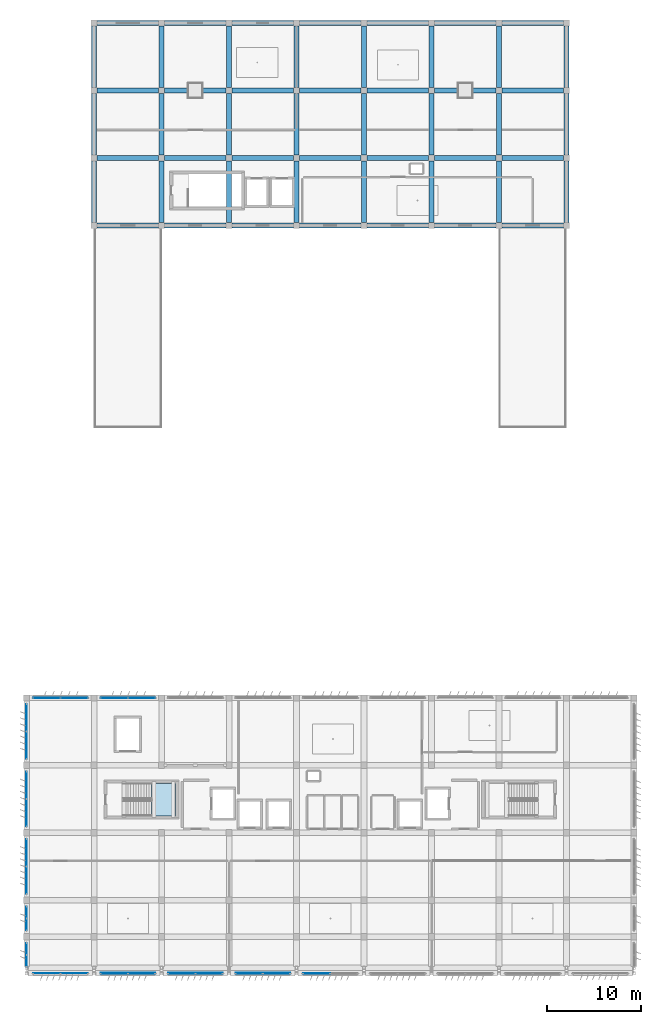
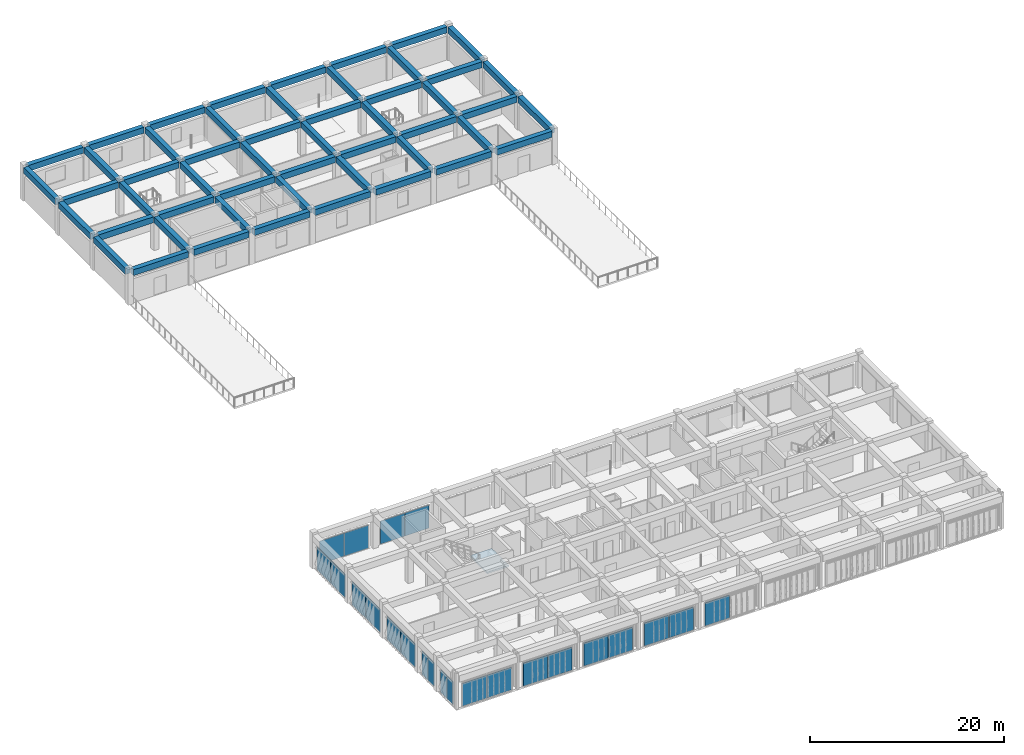
# One storey, part 32 of 56: 52 beams, 23 plates, 1 slab, 13 elements without a shape of their own.
"""IFC4 building model written with IfcOpenShell, lengths in metres."""

from ifc_helpers import new_model, si_unit, direction, frame, origin, origin_2d, place, context, subcontext, project, spatial, polyline, rectangle, outline, extrude, material, layer, layer_set, material_profile, profile_set, type_object, element, aggregate, save


model = new_model("IFC4")

# Units and contexts
model_context = context("Model", 3, precision=1e-05, world=origin(), true_north=direction((0.0, 1.0)))
body_context = subcontext(model_context, "Body", "Model", "MODEL_VIEW")
ifc_project = project(units=[si_unit("LENGTHUNIT", "METRE"), si_unit("AREAUNIT", "SQUARE_METRE"), si_unit("VOLUMEUNIT", "CUBIC_METRE"), si_unit("PLANEANGLEUNIT", "RADIAN"), si_unit("MASSUNIT", "GRAM", prefix="KILO")], contexts=[model_context])

# Site, building, storey
site_placement = place(None, origin())
site = spatial("IfcSite", under=ifc_project, at=site_placement, CompositionType="ELEMENT")
building_placement = place(site_placement, origin())
building = spatial("IfcBuilding", under=site, at=building_placement, Name="Kazehaya Institute of Natural Sciences", CompositionType="ELEMENT")
storey_placement = place(building_placement, frame((0.0, 0.0, 28.800048828125)))
storey = spatial("IfcBuildingStorey", under=building, at=storey_placement, Name="L06", CompositionType="ELEMENT", Elevation=28.800048828125)

# Beams
ifc_material_1 = material(Name="Concrete Fc36", Category="concrete")
ifc_material_profile = material_profile(ifc_material_1, rectangle(XDim=0.550048828125, YDim=0.75, at=origin_2d()), Name="RC-550x750")
ifc_profile_set = profile_set([ifc_material_profile], Name="Concrete Fc36")
beam_type = type_object("IfcBeamType", Name="BM-G-550x750", PredefinedType="BEAM", material=ifc_profile_set)
for number, where, z_axis, x_axis, name in (
    (1, (62.125, 86.0, 3.85498046875), (1.0, 0.0, 0.0), (0.0, 1.0, 0.0), "L06 primary X girder BMX-L06-618-860"),
    (2, (69.324951171875, 86.0, 3.85498046875), (1.0, 0.0, 0.0), (0.0, 1.0, 0.0), "L06 primary X girder BMX-L06-690-860"),
    (3, (76.52490234375, 86.0, 3.85498046875), (1.0, 0.0, 0.0), (0.0, 1.0, 0.0), "L06 primary X girder BMX-L06-762-860"),
):
    element("IfcBeam", number, at=place(storey_placement, frame(where, z_axis=z_axis, x_axis=x_axis)), inside=storey, type_object=beam_type, Name=name, PredefinedType="BEAM", context=body_context, shape_type="SweptSolid", body=[
        extrude(rectangle(XDim=0.550048828125, YDim=0.75, at=origin_2d()), origin(), (0.0, 0.0, 1.0), 6.550048828125),
    ])
beam_1_placement = place(storey_placement, frame((83.72509765625, 86.0, 3.85498046875), z_axis=(1.0, 0.0, 0.0), x_axis=(0.0, 1.0, 0.0)))
element("IfcBeam", 4, at=beam_1_placement, inside=storey, type_object=beam_type, Name="L06 primary X girder BMX-L06-834-860", PredefinedType="BEAM", context=body_context, shape_type="SweptSolid", body=[
    extrude(rectangle(XDim=0.550048828125, YDim=0.75, at=origin_2d()), origin(), (0.0, 0.0, 1.0), 6.5498046875),
])
for number, where, z_axis, x_axis, name in (
    (5, (90.925048828125, 86.0, 3.85498046875), (1.0, 0.0, 0.0), (0.0, 1.0, 0.0), "L06 primary X girder BMX-L06-906-860"),
    (6, (98.125, 86.0, 3.85498046875), (1.0, 0.0, 0.0), (0.0, 1.0, 0.0), "L06 primary X girder BMX-L06-978-860"),
    (7, (105.324951171875, 86.0, 3.85498046875), (1.0, 0.0, 0.0), (0.0, 1.0, 0.0), "L06 primary X girder BMX-L06-1050-860"),
    (8, (62.125, 93.199951171875, 3.85498046875), (1.0, 0.0, 0.0), (0.0, 1.0, 0.0), "L06 primary X girder BMX-L06-618-932"),
    (9, (69.324951171875, 93.199951171875, 3.85498046875), (1.0, 0.0, 0.0), (0.0, 1.0, 0.0), "L06 primary X girder BMX-L06-690-932"),
    (10, (76.52490234375, 93.199951171875, 3.85498046875), (1.0, 0.0, 0.0), (0.0, 1.0, 0.0), "L06 primary X girder BMX-L06-762-932"),
):
    element("IfcBeam", number, at=place(storey_placement, frame(where, z_axis=z_axis, x_axis=x_axis)), inside=storey, type_object=beam_type, Name=name, PredefinedType="BEAM", context=body_context, shape_type="SweptSolid", body=[
        extrude(rectangle(XDim=0.550048828125, YDim=0.75, at=origin_2d()), origin(), (0.0, 0.0, 1.0), 6.550048828125),
    ])
beam_2_placement = place(storey_placement, frame((83.72509765625, 93.199951171875, 3.85498046875), z_axis=(1.0, 0.0, 0.0), x_axis=(0.0, 1.0, 0.0)))
element("IfcBeam", 11, at=beam_2_placement, inside=storey, type_object=beam_type, Name="L06 primary X girder BMX-L06-834-932", PredefinedType="BEAM", context=body_context, shape_type="SweptSolid", body=[
    extrude(rectangle(XDim=0.550048828125, YDim=0.75, at=origin_2d()), origin(), (0.0, 0.0, 1.0), 6.5498046875),
])
for number, where, z_axis, x_axis, name in (
    (12, (90.925048828125, 93.199951171875, 3.85498046875), (1.0, 0.0, 0.0), (0.0, 1.0, 0.0), "L06 primary X girder BMX-L06-906-932"),
    (13, (98.125, 93.199951171875, 3.85498046875), (1.0, 0.0, 0.0), (0.0, 1.0, 0.0), "L06 primary X girder BMX-L06-978-932"),
    (14, (105.324951171875, 93.199951171875, 3.85498046875), (1.0, 0.0, 0.0), (0.0, 1.0, 0.0), "L06 primary X girder BMX-L06-1050-932"),
    (15, (62.125, 100.39990234375, 3.85498046875), (1.0, 0.0, 0.0), (0.0, 1.0, 0.0), "L06 primary X girder BMX-L06-618-1004"),
    (16, (69.324951171875, 100.39990234375, 3.85498046875), (1.0, 0.0, 0.0), (0.0, 1.0, 0.0), "L06 primary X girder BMX-L06-690-1004"),
    (17, (76.52490234375, 100.39990234375, 3.85498046875), (1.0, 0.0, 0.0), (0.0, 1.0, 0.0), "L06 primary X girder BMX-L06-762-1004"),
):
    element("IfcBeam", number, at=place(storey_placement, frame(where, z_axis=z_axis, x_axis=x_axis)), inside=storey, type_object=beam_type, Name=name, PredefinedType="BEAM", context=body_context, shape_type="SweptSolid", body=[
        extrude(rectangle(XDim=0.550048828125, YDim=0.75, at=origin_2d()), origin(), (0.0, 0.0, 1.0), 6.550048828125),
    ])
beam_3_placement = place(storey_placement, frame((83.72509765625, 100.39990234375, 3.85498046875), z_axis=(1.0, 0.0, 0.0), x_axis=(0.0, 1.0, 0.0)))
element("IfcBeam", 18, at=beam_3_placement, inside=storey, type_object=beam_type, Name="L06 primary X girder BMX-L06-834-1004", PredefinedType="BEAM", context=body_context, shape_type="SweptSolid", body=[
    extrude(rectangle(XDim=0.550048828125, YDim=0.75, at=origin_2d()), origin(), (0.0, 0.0, 1.0), 6.5498046875),
])
for number, where, z_axis, x_axis, name in (
    (19, (90.925048828125, 100.39990234375, 3.85498046875), (1.0, 0.0, 0.0), (0.0, 1.0, 0.0), "L06 primary X girder BMX-L06-906-1004"),
    (20, (98.125, 100.39990234375, 3.85498046875), (1.0, 0.0, 0.0), (0.0, 1.0, 0.0), "L06 primary X girder BMX-L06-978-1004"),
    (21, (105.324951171875, 100.39990234375, 3.85498046875), (1.0, 0.0, 0.0), (0.0, 1.0, 0.0), "L06 primary X girder BMX-L06-1050-1004"),
    (22, (62.125, 107.60009765625, 3.85498046875), (1.0, 0.0, 0.0), (0.0, 1.0, 0.0), "L06 primary X girder BMX-L06-618-1076"),
    (23, (69.324951171875, 107.60009765625, 3.85498046875), (1.0, 0.0, 0.0), (0.0, 1.0, 0.0), "L06 primary X girder BMX-L06-690-1076"),
    (24, (76.52490234375, 107.60009765625, 3.85498046875), (1.0, 0.0, 0.0), (0.0, 1.0, 0.0), "L06 primary X girder BMX-L06-762-1076"),
):
    element("IfcBeam", number, at=place(storey_placement, frame(where, z_axis=z_axis, x_axis=x_axis)), inside=storey, type_object=beam_type, Name=name, PredefinedType="BEAM", context=body_context, shape_type="SweptSolid", body=[
        extrude(rectangle(XDim=0.550048828125, YDim=0.75, at=origin_2d()), origin(), (0.0, 0.0, 1.0), 6.550048828125),
    ])
beam_4_placement = place(storey_placement, frame((83.72509765625, 107.60009765625, 3.85498046875), z_axis=(1.0, 0.0, 0.0), x_axis=(0.0, 1.0, 0.0)))
element("IfcBeam", 25, at=beam_4_placement, inside=storey, type_object=beam_type, Name="L06 primary X girder BMX-L06-834-1076", PredefinedType="BEAM", context=body_context, shape_type="SweptSolid", body=[
    extrude(rectangle(XDim=0.550048828125, YDim=0.75, at=origin_2d()), origin(), (0.0, 0.0, 1.0), 6.5498046875),
])
for number, where, z_axis, x_axis, name in (
    (26, (90.925048828125, 107.60009765625, 3.85498046875), (1.0, 0.0, 0.0), (0.0, 1.0, 0.0), "L06 primary X girder BMX-L06-906-1076"),
    (27, (98.125, 107.60009765625, 3.85498046875), (1.0, 0.0, 0.0), (0.0, 1.0, 0.0), "L06 primary X girder BMX-L06-978-1076"),
    (28, (105.324951171875, 107.60009765625, 3.85498046875), (1.0, 0.0, 0.0), (0.0, 1.0, 0.0), "L06 primary X girder BMX-L06-1050-1076"),
    (29, (61.800048828125, 86.324951171875, 3.85498046875), (0.0, 1.0, 0.0), (-1.0, 0.0, 0.0), "L06 primary Y girder BMY-L06-618-860"),
    (30, (61.800048828125, 93.52490234375, 3.85498046875), (0.0, 1.0, 0.0), (-1.0, 0.0, 0.0), "L06 primary Y girder BMY-L06-618-932"),
):
    element("IfcBeam", number, at=place(storey_placement, frame(where, z_axis=z_axis, x_axis=x_axis)), inside=storey, type_object=beam_type, Name=name, PredefinedType="BEAM", context=body_context, shape_type="SweptSolid", body=[
        extrude(rectangle(XDim=0.550048828125, YDim=0.75, at=origin_2d()), origin(), (0.0, 0.0, 1.0), 6.550048828125),
    ])
beam_5_placement = place(storey_placement, frame((61.800048828125, 100.72509765625, 3.85498046875), z_axis=(0.0, 1.0, 0.0), x_axis=(-1.0, 0.0, 0.0)))
element("IfcBeam", 31, at=beam_5_placement, inside=storey, type_object=beam_type, Name="L06 primary Y girder BMY-L06-618-1004", PredefinedType="BEAM", context=body_context, shape_type="SweptSolid", body=[
    extrude(rectangle(XDim=0.550048828125, YDim=0.75, at=origin_2d()), origin(), (0.0, 0.0, 1.0), 6.5498046875),
])
for number, where, z_axis, x_axis, name in (
    (32, (69.0, 86.324951171875, 3.85498046875), (0.0, 1.0, 0.0), (-1.0, 0.0, 0.0), "L06 primary Y girder BMY-L06-690-860"),
    (33, (69.0, 93.52490234375, 3.85498046875), (0.0, 1.0, 0.0), (-1.0, 0.0, 0.0), "L06 primary Y girder BMY-L06-690-932"),
):
    element("IfcBeam", number, at=place(storey_placement, frame(where, z_axis=z_axis, x_axis=x_axis)), inside=storey, type_object=beam_type, Name=name, PredefinedType="BEAM", context=body_context, shape_type="SweptSolid", body=[
        extrude(rectangle(XDim=0.550048828125, YDim=0.75, at=origin_2d()), origin(), (0.0, 0.0, 1.0), 6.550048828125),
    ])
beam_6_placement = place(storey_placement, frame((69.0, 100.72509765625, 3.85498046875), z_axis=(0.0, 1.0, 0.0), x_axis=(-1.0, 0.0, 0.0)))
element("IfcBeam", 34, at=beam_6_placement, inside=storey, type_object=beam_type, Name="L06 primary Y girder BMY-L06-690-1004", PredefinedType="BEAM", context=body_context, shape_type="SweptSolid", body=[
    extrude(rectangle(XDim=0.550048828125, YDim=0.75, at=origin_2d()), origin(), (0.0, 0.0, 1.0), 6.5498046875),
])
for number, where, z_axis, x_axis, name in (
    (35, (76.199951171875, 86.324951171875, 3.85498046875), (0.0, 1.0, 0.0), (-1.0, 0.0, 0.0), "L06 primary Y girder BMY-L06-762-860"),
    (36, (76.199951171875, 93.52490234375, 3.85498046875), (0.0, 1.0, 0.0), (-1.0, 0.0, 0.0), "L06 primary Y girder BMY-L06-762-932"),
):
    element("IfcBeam", number, at=place(storey_placement, frame(where, z_axis=z_axis, x_axis=x_axis)), inside=storey, type_object=beam_type, Name=name, PredefinedType="BEAM", context=body_context, shape_type="SweptSolid", body=[
        extrude(rectangle(XDim=0.550048828125, YDim=0.75, at=origin_2d()), origin(), (0.0, 0.0, 1.0), 6.550048828125),
    ])
beam_7_placement = place(storey_placement, frame((76.199951171875, 100.72509765625, 3.85498046875), z_axis=(0.0, 1.0, 0.0), x_axis=(-1.0, 0.0, 0.0)))
element("IfcBeam", 37, at=beam_7_placement, inside=storey, type_object=beam_type, Name="L06 primary Y girder BMY-L06-762-1004", PredefinedType="BEAM", context=body_context, shape_type="SweptSolid", body=[
    extrude(rectangle(XDim=0.550048828125, YDim=0.75, at=origin_2d()), origin(), (0.0, 0.0, 1.0), 6.5498046875),
])
for number, where, z_axis, x_axis, name in (
    (38, (83.39990234375, 86.324951171875, 3.85498046875), (0.0, 1.0, 0.0), (-1.0, 0.0, 0.0), "L06 primary Y girder BMY-L06-834-860"),
    (39, (83.39990234375, 93.52490234375, 3.85498046875), (0.0, 1.0, 0.0), (-1.0, 0.0, 0.0), "L06 primary Y girder BMY-L06-834-932"),
):
    element("IfcBeam", number, at=place(storey_placement, frame(where, z_axis=z_axis, x_axis=x_axis)), inside=storey, type_object=beam_type, Name=name, PredefinedType="BEAM", context=body_context, shape_type="SweptSolid", body=[
        extrude(rectangle(XDim=0.550048828125, YDim=0.75, at=origin_2d()), origin(), (0.0, 0.0, 1.0), 6.550048828125),
    ])
beam_8_placement = place(storey_placement, frame((83.39990234375, 100.72509765625, 3.85498046875), z_axis=(0.0, 1.0, 0.0), x_axis=(-1.0, 0.0, 0.0)))
element("IfcBeam", 40, at=beam_8_placement, inside=storey, type_object=beam_type, Name="L06 primary Y girder BMY-L06-834-1004", PredefinedType="BEAM", context=body_context, shape_type="SweptSolid", body=[
    extrude(rectangle(XDim=0.550048828125, YDim=0.75, at=origin_2d()), origin(), (0.0, 0.0, 1.0), 6.5498046875),
])
for number, where, z_axis, x_axis, name in (
    (41, (90.60009765625, 86.324951171875, 3.85498046875), (0.0, 1.0, 0.0), (-1.0, 0.0, 0.0), "L06 primary Y girder BMY-L06-906-860"),
    (42, (90.60009765625, 93.52490234375, 3.85498046875), (0.0, 1.0, 0.0), (-1.0, 0.0, 0.0), "L06 primary Y girder BMY-L06-906-932"),
):
    element("IfcBeam", number, at=place(storey_placement, frame(where, z_axis=z_axis, x_axis=x_axis)), inside=storey, type_object=beam_type, Name=name, PredefinedType="BEAM", context=body_context, shape_type="SweptSolid", body=[
        extrude(rectangle(XDim=0.550048828125, YDim=0.75, at=origin_2d()), origin(), (0.0, 0.0, 1.0), 6.550048828125),
    ])
beam_9_placement = place(storey_placement, frame((90.60009765625, 100.72509765625, 3.85498046875), z_axis=(0.0, 1.0, 0.0), x_axis=(-1.0, 0.0, 0.0)))
element("IfcBeam", 43, at=beam_9_placement, inside=storey, type_object=beam_type, Name="L06 primary Y girder BMY-L06-906-1004", PredefinedType="BEAM", context=body_context, shape_type="SweptSolid", body=[
    extrude(rectangle(XDim=0.550048828125, YDim=0.75, at=origin_2d()), origin(), (0.0, 0.0, 1.0), 6.5498046875),
])
for number, where, z_axis, x_axis, name in (
    (44, (97.800048828125, 86.324951171875, 3.85498046875), (0.0, 1.0, 0.0), (-1.0, 0.0, 0.0), "L06 primary Y girder BMY-L06-978-860"),
    (45, (97.800048828125, 93.52490234375, 3.85498046875), (0.0, 1.0, 0.0), (-1.0, 0.0, 0.0), "L06 primary Y girder BMY-L06-978-932"),
):
    element("IfcBeam", number, at=place(storey_placement, frame(where, z_axis=z_axis, x_axis=x_axis)), inside=storey, type_object=beam_type, Name=name, PredefinedType="BEAM", context=body_context, shape_type="SweptSolid", body=[
        extrude(rectangle(XDim=0.550048828125, YDim=0.75, at=origin_2d()), origin(), (0.0, 0.0, 1.0), 6.550048828125),
    ])
beam_10_placement = place(storey_placement, frame((97.800048828125, 100.72509765625, 3.85498046875), z_axis=(0.0, 1.0, 0.0), x_axis=(-1.0, 0.0, 0.0)))
element("IfcBeam", 46, at=beam_10_placement, inside=storey, type_object=beam_type, Name="L06 primary Y girder BMY-L06-978-1004", PredefinedType="BEAM", context=body_context, shape_type="SweptSolid", body=[
    extrude(rectangle(XDim=0.550048828125, YDim=0.75, at=origin_2d()), origin(), (0.0, 0.0, 1.0), 6.5498046875),
])
for number, where, z_axis, x_axis, name in (
    (47, (105.0, 86.324951171875, 3.85498046875), (0.0, 1.0, 0.0), (-1.0, 0.0, 0.0), "L06 primary Y girder BMY-L06-1050-860"),
    (48, (105.0, 93.52490234375, 3.85498046875), (0.0, 1.0, 0.0), (-1.0, 0.0, 0.0), "L06 primary Y girder BMY-L06-1050-932"),
):
    element("IfcBeam", number, at=place(storey_placement, frame(where, z_axis=z_axis, x_axis=x_axis)), inside=storey, type_object=beam_type, Name=name, PredefinedType="BEAM", context=body_context, shape_type="SweptSolid", body=[
        extrude(rectangle(XDim=0.550048828125, YDim=0.75, at=origin_2d()), origin(), (0.0, 0.0, 1.0), 6.550048828125),
    ])
beam_11_placement = place(storey_placement, frame((105.0, 100.72509765625, 3.85498046875), z_axis=(0.0, 1.0, 0.0), x_axis=(-1.0, 0.0, 0.0)))
element("IfcBeam", 49, at=beam_11_placement, inside=storey, type_object=beam_type, Name="L06 primary Y girder BMY-L06-1050-1004", PredefinedType="BEAM", context=body_context, shape_type="SweptSolid", body=[
    extrude(rectangle(XDim=0.550048828125, YDim=0.75, at=origin_2d()), origin(), (0.0, 0.0, 1.0), 6.5498046875),
])
for number, where, z_axis, x_axis, name in (
    (50, (112.199951171875, 86.324951171875, 3.85498046875), (0.0, 1.0, 0.0), (-1.0, 0.0, 0.0), "L06 primary Y girder BMY-L06-1122-860"),
    (51, (112.199951171875, 93.52490234375, 3.85498046875), (0.0, 1.0, 0.0), (-1.0, 0.0, 0.0), "L06 primary Y girder BMY-L06-1122-932"),
):
    element("IfcBeam", number, at=place(storey_placement, frame(where, z_axis=z_axis, x_axis=x_axis)), inside=storey, type_object=beam_type, Name=name, PredefinedType="BEAM", context=body_context, shape_type="SweptSolid", body=[
        extrude(rectangle(XDim=0.550048828125, YDim=0.75, at=origin_2d()), origin(), (0.0, 0.0, 1.0), 6.550048828125),
    ])
beam_12_placement = place(storey_placement, frame((112.199951171875, 100.72509765625, 3.85498046875), z_axis=(0.0, 1.0, 0.0), x_axis=(-1.0, 0.0, 0.0)))
element("IfcBeam", 52, at=beam_12_placement, inside=storey, type_object=beam_type, Name="L06 primary Y girder BMY-L06-1122-1004", PredefinedType="BEAM", context=body_context, shape_type="SweptSolid", body=[
    extrude(rectangle(XDim=0.550048828125, YDim=0.75, at=origin_2d()), origin(), (0.0, 0.0, 1.0), 6.5498046875),
])

# Curtain wall, plates
ifc_material_2 = material(Name="Aluminium alloy A6063S-T5", Category="aluminium")
curtain_wall_type_1 = type_object("IfcCurtainWallType", Name="CW-SYS-04", PredefinedType="NOTDEFINED", material=ifc_material_2)
curtain_wall_1_placement = place(storey_placement, origin())
curtain_wall_1 = element("IfcCurtainWall", 53, at=curtain_wall_1_placement, inside=storey, type_object=curtain_wall_type_1, Name="L06 unitised curtain wall CW-L06-128", PredefinedType="NOTDEFINED")
ifc_material_3 = material(Name="Low-E double-glazed vision glass", Category="glass")
ifc_layer_1 = layer(ifc_material_3, 0.030029296875, Name="Low-E double-glazed vision glass", Category="glass")
ifc_layer_set_1 = layer_set([ifc_layer_1], Name="Low-E double-glazed vision glass")
plate_type_1 = type_object("IfcPlateType", Name="CWP-01", PredefinedType="CURTAIN_PANEL", material=ifc_layer_set_1)
plate_1_placement = place(storey_placement, frame((59.6650390625, 6.199951171875, 0.06005859375), z_axis=(0.0, 0.0, 1.0), x_axis=(-1.0, 0.0, 0.0)))
plate_1 = element("IfcPlate", 54, at=plate_1_placement, type_object=plate_type_1, Name="CW04 panel 1.1", PredefinedType="CURTAIN_PANEL", context=body_context, shape_type="SweptSolid", body=[
    extrude(rectangle(XDim=2.8701171875, YDim=0.030029296875, at=origin_2d()), origin(), (0.0, 0.0, 1.0), 2.8798828125),
])
plate_2_placement = place(storey_placement, frame((56.735107421875, 6.199951171875, 0.06005859375), z_axis=(0.0, 0.0, 1.0), x_axis=(-1.0, 0.0, 0.0)))
plate_2 = element("IfcPlate", 55, at=plate_2_placement, type_object=plate_type_1, Name="CW04 panel 2.1", PredefinedType="CURTAIN_PANEL", context=body_context, shape_type="SweptSolid", body=[
    extrude(rectangle(XDim=2.8701171875, YDim=0.030029296875, at=origin_2d()), origin(), (0.0, 0.0, 1.0), 2.8798828125),
])
aggregate(curtain_wall_1, [plate_1, plate_2])

curtain_wall_2_placement = place(storey_placement, origin())
curtain_wall_2 = element("IfcCurtainWall", 56, at=curtain_wall_2_placement, inside=storey, type_object=curtain_wall_type_1, Name="L06 unitised curtain wall CW-L06-129", PredefinedType="NOTDEFINED")
ifc_layer_2 = layer(ifc_material_3, 0.050048828125, Name="Low-E double-glazed vision glass", Category="glass")
ifc_layer_set_2 = layer_set([ifc_layer_2], Name="Low-E double-glazed vision glass")
plate_type_2 = type_object("IfcPlateType", Name="CWP-03", PredefinedType="CURTAIN_PANEL", material=ifc_layer_set_2)
plate_3_placement = place(storey_placement, frame((56.735107421875, 35.60009765625, 0.06005859375), z_axis=(0.0, 0.0, 1.0), x_axis=(1.0, 0.0, 0.0)))
plate_3 = element("IfcPlate", 57, at=plate_3_placement, type_object=plate_type_2, Name="CW04 panel 1.1", PredefinedType="CURTAIN_PANEL", context=body_context, shape_type="SweptSolid", body=[
    extrude(rectangle(XDim=2.8701171875, YDim=0.050048828125, at=origin_2d()), origin(), (0.0, 0.0, 1.0), 2.8798828125),
])
plate_4_placement = place(storey_placement, frame((59.6650390625, 35.60009765625, 0.06005859375), z_axis=(0.0, 0.0, 1.0), x_axis=(1.0, 0.0, 0.0)))
plate_4 = element("IfcPlate", 58, at=plate_4_placement, type_object=plate_type_2, Name="CW04 panel 2.1", PredefinedType="CURTAIN_PANEL", context=body_context, shape_type="SweptSolid", body=[
    extrude(rectangle(XDim=2.8701171875, YDim=0.050048828125, at=origin_2d()), origin(), (0.0, 0.0, 1.0), 2.8798828125),
])
aggregate(curtain_wall_2, [plate_3, plate_4])

curtain_wall_3_placement = place(storey_placement, origin())
curtain_wall_3 = element("IfcCurtainWall", 59, at=curtain_wall_3_placement, inside=storey, type_object=curtain_wall_type_1, Name="L06 unitised curtain wall CW-L06-130", PredefinedType="NOTDEFINED")
ifc_layer_3 = layer(ifc_material_3, 0.06005859375, Name="Low-E double-glazed vision glass", Category="glass")
ifc_layer_set_3 = layer_set([ifc_layer_3], Name="Low-E double-glazed vision glass")
plate_type_3 = type_object("IfcPlateType", Name="CWP-04", PredefinedType="CURTAIN_PANEL", material=ifc_layer_set_3)
plate_5_placement = place(storey_placement, frame((63.93505859375, 35.60009765625, 0.06005859375), z_axis=(0.0, 0.0, 1.0), x_axis=(1.0, 0.0, 0.0)))
plate_5 = element("IfcPlate", 60, at=plate_5_placement, type_object=plate_type_3, Name="CW04 panel 1.1", PredefinedType="CURTAIN_PANEL", context=body_context, shape_type="SweptSolid", body=[
    extrude(rectangle(XDim=2.8701171875, YDim=0.06005859375, at=origin_2d()), origin(), (0.0, 0.0, 1.0), 2.8798828125),
])
plate_6_placement = place(storey_placement, frame((66.864990234375, 35.60009765625, 0.06005859375), z_axis=(0.0, 0.0, 1.0), x_axis=(1.0, 0.0, 0.0)))
plate_6 = element("IfcPlate", 61, at=plate_6_placement, type_object=plate_type_3, Name="CW04 panel 2.1", PredefinedType="CURTAIN_PANEL", context=body_context, shape_type="SweptSolid", body=[
    extrude(rectangle(XDim=2.8701171875, YDim=0.06005859375, at=origin_2d()), origin(), (0.0, 0.0, 1.0), 2.8798828125),
])
aggregate(curtain_wall_3, [plate_5, plate_6])

# Curtain wall, plate
curtain_wall_4_placement = place(storey_placement, origin())
curtain_wall_4 = element("IfcCurtainWall", 62, at=curtain_wall_4_placement, inside=storey, type_object=curtain_wall_type_1, Name="L06 unitised curtain wall CW-L06-124", PredefinedType="NOTDEFINED")
ifc_material_4 = material(Name="Insulated bronze aluminium spandrel panel", Category="aluminium")
ifc_layer_4 = layer(ifc_material_4, 0.070068359375, Name="Insulated bronze aluminium spandrel panel", Category="aluminium")
ifc_layer_set_4 = layer_set([ifc_layer_4], Name="Insulated bronze aluminium spandrel panel")
plate_type_4 = type_object("IfcPlateType", Name="CWP-05", PredefinedType="CURTAIN_PANEL", material=ifc_layer_set_4)
plate_7_placement = place(storey_placement, frame((85.534912109375, 6.199951171875, 0.06005859375), z_axis=(0.0, 0.0, 1.0), x_axis=(-1.0, 0.0, 0.0)))
plate_7 = element("IfcPlate", 63, at=plate_7_placement, type_object=plate_type_4, Name="CW04 panel 2.1", PredefinedType="CURTAIN_PANEL", context=body_context, shape_type="SweptSolid", body=[
    extrude(rectangle(XDim=2.8701171875, YDim=0.070068359375, at=origin_2d()), origin(), (0.0, 0.0, 1.0), 2.8798828125),
])
aggregate(curtain_wall_4, [plate_7])

# Curtain wall, plates
curtain_wall_type_2 = type_object("IfcCurtainWallType", Name="CW-SYS-08", PredefinedType="NOTDEFINED", material=ifc_material_2)
curtain_wall_5_placement = place(storey_placement, origin())
curtain_wall_5 = element("IfcCurtainWall", 64, at=curtain_wall_5_placement, inside=storey, type_object=curtain_wall_type_2, Name="L06 unitised curtain wall CW-L06-138", PredefinedType="NOTDEFINED")
plate_8_placement = place(storey_placement, frame((54.60009765625, 7.510009765625, 0.06005859375), z_axis=(0.0, 0.0, 1.0), x_axis=(0.0, 1.0, 0.0)))
plate_8 = element("IfcPlate", 65, at=plate_8_placement, type_object=plate_type_4, Name="CW08 panel 1.1", PredefinedType="CURTAIN_PANEL", context=body_context, shape_type="SweptSolid", body=[
    extrude(rectangle(XDim=1.219970703125, YDim=0.070068359375, at=origin_2d()), origin(), (0.0, 0.0, 1.0), 2.8798828125),
])
plate_9_placement = place(storey_placement, frame((54.60009765625, 8.7900390625, 0.06005859375), z_axis=(0.0, 0.0, 1.0), x_axis=(0.0, 1.0, 0.0)))
plate_9 = element("IfcPlate", 66, at=plate_9_placement, type_object=plate_type_4, Name="CW08 panel 2.1", PredefinedType="CURTAIN_PANEL", context=body_context, shape_type="SweptSolid", body=[
    extrude(rectangle(XDim=1.219970703125, YDim=0.070068359375, at=origin_2d()), origin(), (0.0, 0.0, 1.0), 2.8798828125),
])
aggregate(curtain_wall_5, [plate_8, plate_9])

curtain_wall_6_placement = place(storey_placement, origin())
curtain_wall_6 = element("IfcCurtainWall", 67, at=curtain_wall_6_placement, inside=storey, type_object=curtain_wall_type_2, Name="L06 unitised curtain wall CW-L06-140", PredefinedType="NOTDEFINED")
plate_10_placement = place(storey_placement, frame((54.60009765625, 11.409912109375, 0.06005859375), z_axis=(0.0, 0.0, 1.0), x_axis=(0.0, 1.0, 0.0)))
plate_10 = element("IfcPlate", 68, at=plate_10_placement, type_object=plate_type_4, Name="CW08 panel 1.1", PredefinedType="CURTAIN_PANEL", context=body_context, shape_type="SweptSolid", body=[
    extrude(rectangle(XDim=1.219970703125, YDim=0.070068359375, at=origin_2d()), origin(), (0.0, 0.0, 1.0), 2.8798828125),
])
plate_11_placement = place(storey_placement, frame((54.60009765625, 12.68994140625, 0.06005859375), z_axis=(0.0, 0.0, 1.0), x_axis=(0.0, 1.0, 0.0)))
plate_11 = element("IfcPlate", 69, at=plate_11_placement, type_object=plate_type_4, Name="CW08 panel 2.1", PredefinedType="CURTAIN_PANEL", context=body_context, shape_type="SweptSolid", body=[
    extrude(rectangle(XDim=1.219970703125, YDim=0.070068359375, at=origin_2d()), origin(), (0.0, 0.0, 1.0), 2.8798828125),
])
aggregate(curtain_wall_6, [plate_10, plate_11])

curtain_wall_type_3 = type_object("IfcCurtainWallType", Name="CW-SYS-10", PredefinedType="NOTDEFINED", material=ifc_material_2)
curtain_wall_7_placement = place(storey_placement, origin())
curtain_wall_7 = element("IfcCurtainWall", 70, at=curtain_wall_7_placement, inside=storey, type_object=curtain_wall_type_3, Name="L06 unitised curtain wall CW-L06-142", PredefinedType="NOTDEFINED")
plate_12_placement = place(storey_placement, frame((54.60009765625, 16.135009765625, 0.06005859375), z_axis=(0.0, 0.0, 1.0), x_axis=(0.0, 1.0, 0.0)))
plate_12 = element("IfcPlate", 71, at=plate_12_placement, type_object=plate_type_4, Name="CW10 panel 1.1", PredefinedType="CURTAIN_PANEL", context=body_context, shape_type="SweptSolid", body=[
    extrude(rectangle(XDim=2.8701171875, YDim=0.070068359375, at=origin_2d()), origin(), (0.0, 0.0, 1.0), 2.8798828125),
])
plate_13_placement = place(storey_placement, frame((54.60009765625, 19.06494140625, 0.06005859375), z_axis=(0.0, 0.0, 1.0), x_axis=(0.0, 1.0, 0.0)))
plate_13 = element("IfcPlate", 72, at=plate_13_placement, type_object=plate_type_4, Name="CW10 panel 2.1", PredefinedType="CURTAIN_PANEL", context=body_context, shape_type="SweptSolid", body=[
    extrude(rectangle(XDim=2.8701171875, YDim=0.070068359375, at=origin_2d()), origin(), (0.0, 0.0, 1.0), 2.8798828125),
])
aggregate(curtain_wall_7, [plate_12, plate_13])

curtain_wall_8_placement = place(storey_placement, origin())
curtain_wall_8 = element("IfcCurtainWall", 73, at=curtain_wall_8_placement, inside=storey, type_object=curtain_wall_type_3, Name="L06 unitised curtain wall CW-L06-144", PredefinedType="NOTDEFINED")
plate_14_placement = place(storey_placement, frame((54.60009765625, 23.3349609375, 0.06005859375), z_axis=(0.0, 0.0, 1.0), x_axis=(0.0, 1.0, 0.0)))
plate_14 = element("IfcPlate", 74, at=plate_14_placement, type_object=plate_type_4, Name="CW10 panel 1.1", PredefinedType="CURTAIN_PANEL", context=body_context, shape_type="SweptSolid", body=[
    extrude(rectangle(XDim=2.8701171875, YDim=0.070068359375, at=origin_2d()), origin(), (0.0, 0.0, 1.0), 2.8798828125),
])
plate_15_placement = place(storey_placement, frame((54.60009765625, 26.264892578125, 0.06005859375), z_axis=(0.0, 0.0, 1.0), x_axis=(0.0, 1.0, 0.0)))
plate_15 = element("IfcPlate", 75, at=plate_15_placement, type_object=plate_type_4, Name="CW10 panel 2.1", PredefinedType="CURTAIN_PANEL", context=body_context, shape_type="SweptSolid", body=[
    extrude(rectangle(XDim=2.8701171875, YDim=0.070068359375, at=origin_2d()), origin(), (0.0, 0.0, 1.0), 2.8798828125),
])
aggregate(curtain_wall_8, [plate_14, plate_15])

curtain_wall_9_placement = place(storey_placement, origin())
curtain_wall_9 = element("IfcCurtainWall", 76, at=curtain_wall_9_placement, inside=storey, type_object=curtain_wall_type_3, Name="L06 unitised curtain wall CW-L06-146", PredefinedType="NOTDEFINED")
plate_16_placement = place(storey_placement, frame((54.60009765625, 30.534912109375, 0.06005859375), z_axis=(0.0, 0.0, 1.0), x_axis=(0.0, 1.0, 0.0)))
plate_16 = element("IfcPlate", 77, at=plate_16_placement, type_object=plate_type_4, Name="CW10 panel 1.1", PredefinedType="CURTAIN_PANEL", context=body_context, shape_type="SweptSolid", body=[
    extrude(rectangle(XDim=2.8701171875, YDim=0.070068359375, at=origin_2d()), origin(), (0.0, 0.0, 1.0), 2.8798828125),
])
plate_17_placement = place(storey_placement, frame((54.60009765625, 33.465087890625, 0.06005859375), z_axis=(0.0, 0.0, 1.0), x_axis=(0.0, 1.0, 0.0)))
plate_17 = element("IfcPlate", 78, at=plate_17_placement, type_object=plate_type_4, Name="CW10 panel 2.1", PredefinedType="CURTAIN_PANEL", context=body_context, shape_type="SweptSolid", body=[
    extrude(rectangle(XDim=2.8701171875, YDim=0.070068359375, at=origin_2d()), origin(), (0.0, 0.0, 1.0), 2.8798828125),
])
aggregate(curtain_wall_9, [plate_16, plate_17])

curtain_wall_10_placement = place(storey_placement, origin())
curtain_wall_10 = element("IfcCurtainWall", 79, at=curtain_wall_10_placement, inside=storey, type_object=curtain_wall_type_1, Name="L06 unitised curtain wall CW-L06-125", PredefinedType="NOTDEFINED")
ifc_layer_5 = layer(ifc_material_4, 0.080078125, Name="Insulated bronze aluminium spandrel panel", Category="aluminium")
ifc_layer_set_5 = layer_set([ifc_layer_5], Name="Insulated bronze aluminium spandrel panel")
plate_type_5 = type_object("IfcPlateType", Name="CWP-06", PredefinedType="CURTAIN_PANEL", material=ifc_layer_set_5)
plate_18_placement = place(storey_placement, frame((81.264892578125, 6.199951171875, 0.06005859375), z_axis=(0.0, 0.0, 1.0), x_axis=(-1.0, 0.0, 0.0)))
plate_18 = element("IfcPlate", 80, at=plate_18_placement, type_object=plate_type_5, Name="CW04 panel 1.1", PredefinedType="CURTAIN_PANEL", context=body_context, shape_type="SweptSolid", body=[
    extrude(rectangle(XDim=2.8701171875, YDim=0.080078125, at=origin_2d()), origin(), (0.0, 0.0, 1.0), 2.8798828125),
])
plate_19_placement = place(storey_placement, frame((78.3349609375, 6.199951171875, 0.06005859375), z_axis=(0.0, 0.0, 1.0), x_axis=(-1.0, 0.0, 0.0)))
plate_19 = element("IfcPlate", 81, at=plate_19_placement, type_object=plate_type_5, Name="CW04 panel 2.1", PredefinedType="CURTAIN_PANEL", context=body_context, shape_type="SweptSolid", body=[
    extrude(rectangle(XDim=2.8701171875, YDim=0.080078125, at=origin_2d()), origin(), (0.0, 0.0, 1.0), 2.8798828125),
])
aggregate(curtain_wall_10, [plate_18, plate_19])

curtain_wall_11_placement = place(storey_placement, origin())
curtain_wall_11 = element("IfcCurtainWall", 82, at=curtain_wall_11_placement, inside=storey, type_object=curtain_wall_type_1, Name="L06 unitised curtain wall CW-L06-126", PredefinedType="NOTDEFINED")
ifc_layer_6 = layer(ifc_material_4, 0.090087890625, Name="Insulated bronze aluminium spandrel panel", Category="aluminium")
ifc_layer_set_6 = layer_set([ifc_layer_6], Name="Insulated bronze aluminium spandrel panel")
plate_type_6 = type_object("IfcPlateType", Name="CWP-07", PredefinedType="CURTAIN_PANEL", material=ifc_layer_set_6)
plate_20_placement = place(storey_placement, frame((74.06494140625, 6.199951171875, 0.06005859375), z_axis=(0.0, 0.0, 1.0), x_axis=(-1.0, 0.0, 0.0)))
plate_20 = element("IfcPlate", 83, at=plate_20_placement, type_object=plate_type_6, Name="CW04 panel 1.1", PredefinedType="CURTAIN_PANEL", context=body_context, shape_type="SweptSolid", body=[
    extrude(rectangle(XDim=2.8701171875, YDim=0.090087890625, at=origin_2d()), origin(), (0.0, 0.0, 1.0), 2.8798828125),
])
plate_21_placement = place(storey_placement, frame((71.135009765625, 6.199951171875, 0.06005859375), z_axis=(0.0, 0.0, 1.0), x_axis=(-1.0, 0.0, 0.0)))
plate_21 = element("IfcPlate", 84, at=plate_21_placement, type_object=plate_type_6, Name="CW04 panel 2.1", PredefinedType="CURTAIN_PANEL", context=body_context, shape_type="SweptSolid", body=[
    extrude(rectangle(XDim=2.8701171875, YDim=0.090087890625, at=origin_2d()), origin(), (0.0, 0.0, 1.0), 2.8798828125),
])
aggregate(curtain_wall_11, [plate_20, plate_21])

curtain_wall_12_placement = place(storey_placement, origin())
curtain_wall_12 = element("IfcCurtainWall", 85, at=curtain_wall_12_placement, inside=storey, type_object=curtain_wall_type_1, Name="L06 unitised curtain wall CW-L06-127", PredefinedType="NOTDEFINED")
ifc_layer_7 = layer(ifc_material_4, 0.10009765625, Name="Insulated bronze aluminium spandrel panel", Category="aluminium")
ifc_layer_set_7 = layer_set([ifc_layer_7], Name="Insulated bronze aluminium spandrel panel")
plate_type_7 = type_object("IfcPlateType", Name="CWP-08", PredefinedType="CURTAIN_PANEL", material=ifc_layer_set_7)
plate_22_placement = place(storey_placement, frame((66.864990234375, 6.199951171875, 0.06005859375), z_axis=(0.0, 0.0, 1.0), x_axis=(-1.0, 0.0, 0.0)))
plate_22 = element("IfcPlate", 86, at=plate_22_placement, type_object=plate_type_7, Name="CW04 panel 1.1", PredefinedType="CURTAIN_PANEL", context=body_context, shape_type="SweptSolid", body=[
    extrude(rectangle(XDim=2.8701171875, YDim=0.10009765625, at=origin_2d()), origin(), (0.0, 0.0, 1.0), 2.8798828125),
])
plate_23_placement = place(storey_placement, frame((63.93505859375, 6.199951171875, 0.06005859375), z_axis=(0.0, 0.0, 1.0), x_axis=(-1.0, 0.0, 0.0)))
plate_23 = element("IfcPlate", 87, at=plate_23_placement, type_object=plate_type_7, Name="CW04 panel 2.1", PredefinedType="CURTAIN_PANEL", context=body_context, shape_type="SweptSolid", body=[
    extrude(rectangle(XDim=2.8701171875, YDim=0.10009765625, at=origin_2d()), origin(), (0.0, 0.0, 1.0), 2.8798828125),
])
aggregate(curtain_wall_12, [plate_22, plate_23])

# Stair, slab
stair_type = type_object("IfcStairType", Name="STR-DOG-4500", PredefinedType="HALF_TURN_STAIR", material=ifc_material_1)
stair_placement = place(storey_placement, origin())
stair = element("IfcStair", 88, at=stair_placement, inside=storey, type_object=stair_type, Name="L06 Protected Escape Stair ST-1", PredefinedType="HALF_TURN_STAIR")
ifc_layer_8 = layer(ifc_material_1, 0.159912109375, Name="Concrete Fc36", Category="concrete")
ifc_layer_set_8 = layer_set([ifc_layer_8], Name="Concrete Fc36")
slab_type = type_object("IfcSlabType", Name="SL-LND-160", PredefinedType="LANDING", material=ifc_layer_set_8)
slab_placement = place(storey_placement, frame((0.0, 0.0, 2.050048828125)))
slab = element("IfcSlab", 89, at=slab_placement, type_object=slab_type, Name="ST-1 landing 1", PredefinedType="LANDING", context=body_context, shape_type="SweptSolid", body=[
    extrude(outline(polyline([(67.93994140625, 23.0), (70.5, 23.0), (70.5, 26.47998046875), (67.93994140625, 26.47998046875), (67.93994140625, 23.0)])), origin(), (0.0, 0.0, 1.0), 0.199951171875),
])
aggregate(stair, [slab])

save(model, "model.ifc")
